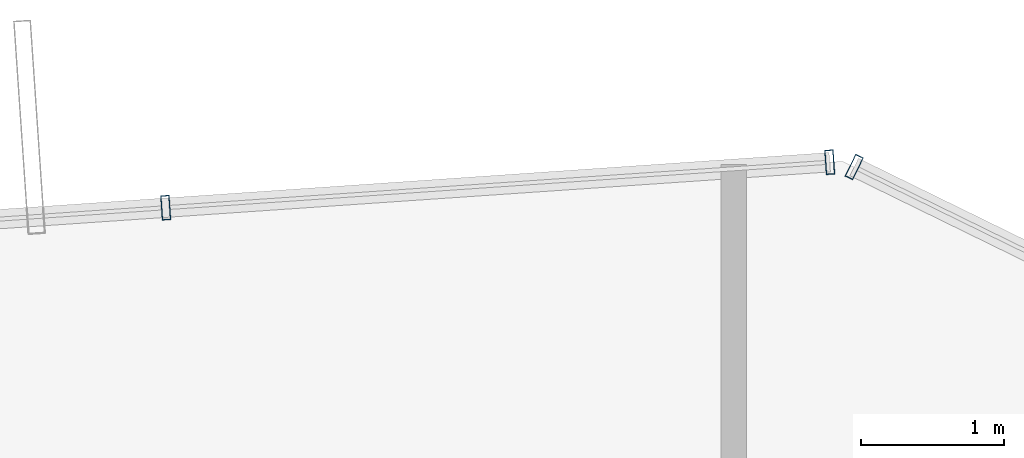
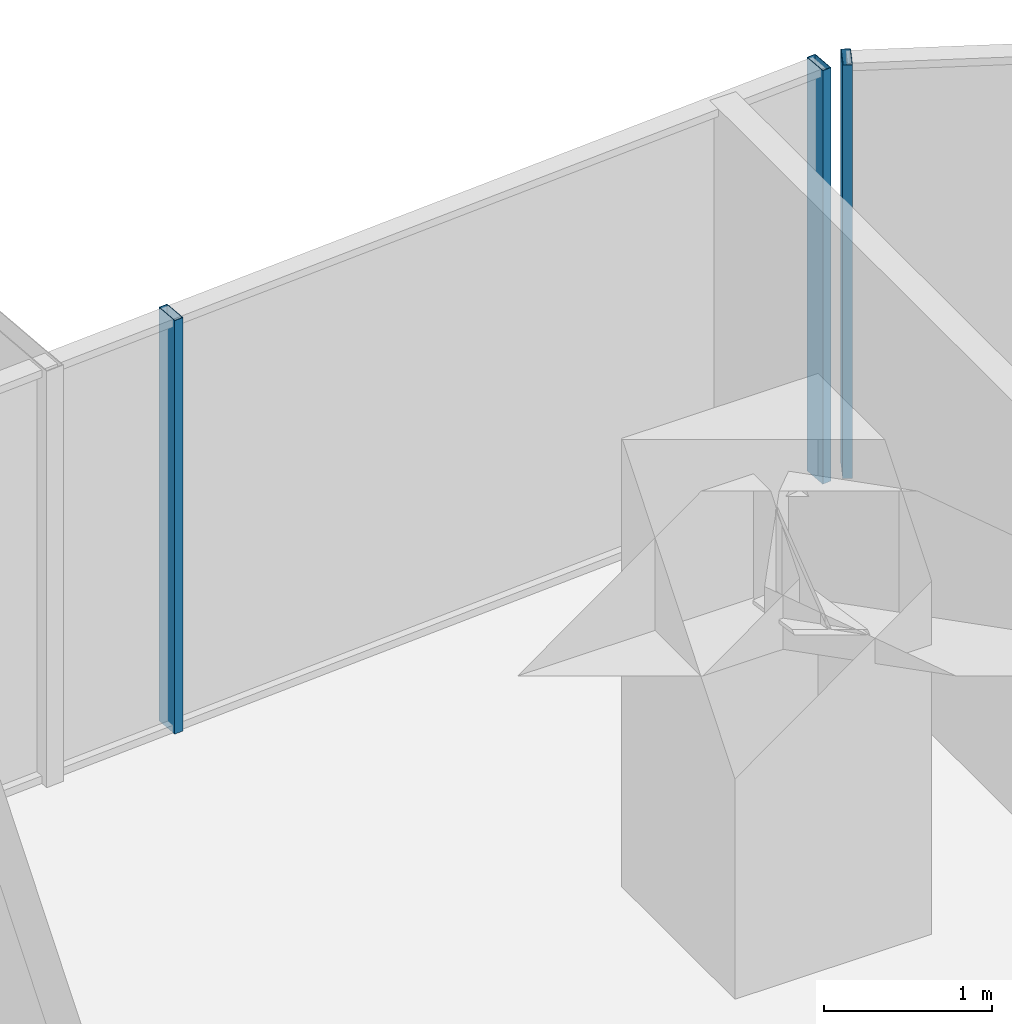
# One storey, part 27 of 37: 3 members, 2 elements without a shape of their own.
"""IFC4 building model written with IfcOpenShell, lengths in metres."""

from ifc_helpers import new_model, si_unit, direction, frame, origin, origin_2d, place, context, subcontext, project, spatial, hollow_rectangle, extrude, source, transform, mapped, material, layer, layer_set, material_profile, profile_set, type_object, element, aggregate, save


model = new_model("IFC4")

# Units and contexts
model_context = context("Model", 3, precision=1e-05, world=origin(), true_north=direction((0.0, 1.0)))
body_context = subcontext(model_context, "Body", "Model", "MODEL_VIEW")
ifc_project = project(units=[si_unit("LENGTHUNIT", "METRE"), si_unit("AREAUNIT", "SQUARE_METRE"), si_unit("VOLUMEUNIT", "CUBIC_METRE"), si_unit("PLANEANGLEUNIT", "RADIAN"), si_unit("MASSUNIT", "GRAM", prefix="KILO")], contexts=[model_context])

# Site, building, storey
site_placement = place(None, origin())
site = spatial("IfcSite", under=ifc_project, at=site_placement, CompositionType="ELEMENT")
building_placement = place(site_placement, origin())
building = spatial("IfcBuilding", under=site, at=building_placement, Name="Veraguas Prism Commons", CompositionType="ELEMENT")
storey_placement = place(building_placement, frame((0.0, 0.0, 37.050048828125)))
storey = spatial("IfcBuildingStorey", under=building, at=storey_placement, Name="L09", CompositionType="ELEMENT", Elevation=37.050048828125)

# Curtain wall, members
ifc_material = material(Name="Anodised aluminium EN AW-6063 T6", Category="aluminium")
ifc_layer = layer(ifc_material, 0.169921875, Name="Unitised Flush Curtain Wall Zone 1", Category="aluminium")
ifc_layer_set = layer_set([ifc_layer], Name="Anodised aluminium EN AW-6063 T6")
curtain_wall_type = type_object("IfcCurtainWallType", Name="Unitised Flush Curtain Wall Zone 1", PredefinedType="NOTDEFINED", material=ifc_layer_set)
curtain_wall_1_placement = place(storey_placement, origin())
curtain_wall_1 = element("IfcCurtainWall", 1, at=curtain_wall_1_placement, inside=storey, type_object=curtain_wall_type, Name="Tower Facade Curtain Wall L09-F2", PredefinedType="NOTDEFINED")
ifc_material_profile = material_profile(ifc_material, hollow_rectangle(XDim=0.06005859375, YDim=0.169921875, WallThickness=0.00390625, at=origin_2d()), Name="AL60X170X4")
ifc_profile_set = profile_set([ifc_material_profile], Name="Anodised aluminium EN AW-6063 T6")
member_type = type_object("IfcMemberType", Name="Curtain Wall Mullion Lower AL 60x170x4", PredefinedType="MULLION", material=ifc_profile_set)
shared_shape = source(origin(), body_context, "Body", "SweptSolid", [
    extrude(hollow_rectangle(XDim=0.06005859375, YDim=0.169921875, WallThickness=0.00390625, at=origin_2d()), origin(), (0.0, 0.0, 1.0), 3.0),
])
member_1_placement = place(storey_placement, frame((31.869140625, 45.37255859375, 0.0), z_axis=(0.0, 0.0, 1.0), x_axis=(-0.997660476238, -0.068363544026, 0.0)))
member_1 = element("IfcMember", 2, at=member_1_placement, type_object=member_type, Name="CW-Z1 Mullion 1", PredefinedType="MULLION", context=body_context, shape_type="MappedRepresentation", body=[
    mapped(shared_shape, transform((0.0, 0.0, 0.0), scale=1.0)),
])
member_2_placement = place(storey_placement, frame((27.239013671875, 45.05517578125, 0.0), z_axis=(0.0, 0.0, 1.0), x_axis=(-0.997660476238, -0.068363544026, 0.0)))
member_2 = element("IfcMember", 3, at=member_2_placement, type_object=member_type, Name="CW-Z1 Mullion 2", PredefinedType="MULLION", context=body_context, shape_type="MappedRepresentation", body=[
    mapped(shared_shape, transform((0.0, 0.0, 0.0), scale=1.0)),
])
aggregate(curtain_wall_1, [member_1, member_2])

# Curtain wall, member
curtain_wall_2_placement = place(storey_placement, origin())
curtain_wall_2 = element("IfcCurtainWall", 4, at=curtain_wall_2_placement, inside=storey, type_object=curtain_wall_type, Name="Chamfer Curtain Wall L09-C2", PredefinedType="NOTDEFINED")
member_3_placement = place(storey_placement, frame((32.039794921875, 45.339111328125, 0.0), z_axis=(0.0, 0.0, 1.0), x_axis=(-0.898184925211, 0.439617834175, 0.0)))
member_3 = element("IfcMember", 5, at=member_3_placement, type_object=member_type, Name="CW-Z1 Mullion 2", PredefinedType="MULLION", context=body_context, shape_type="MappedRepresentation", body=[
    mapped(shared_shape, transform((0.0, 0.0, 0.0), scale=1.0)),
])
aggregate(curtain_wall_2, [member_3])

save(model, "model.ifc")
